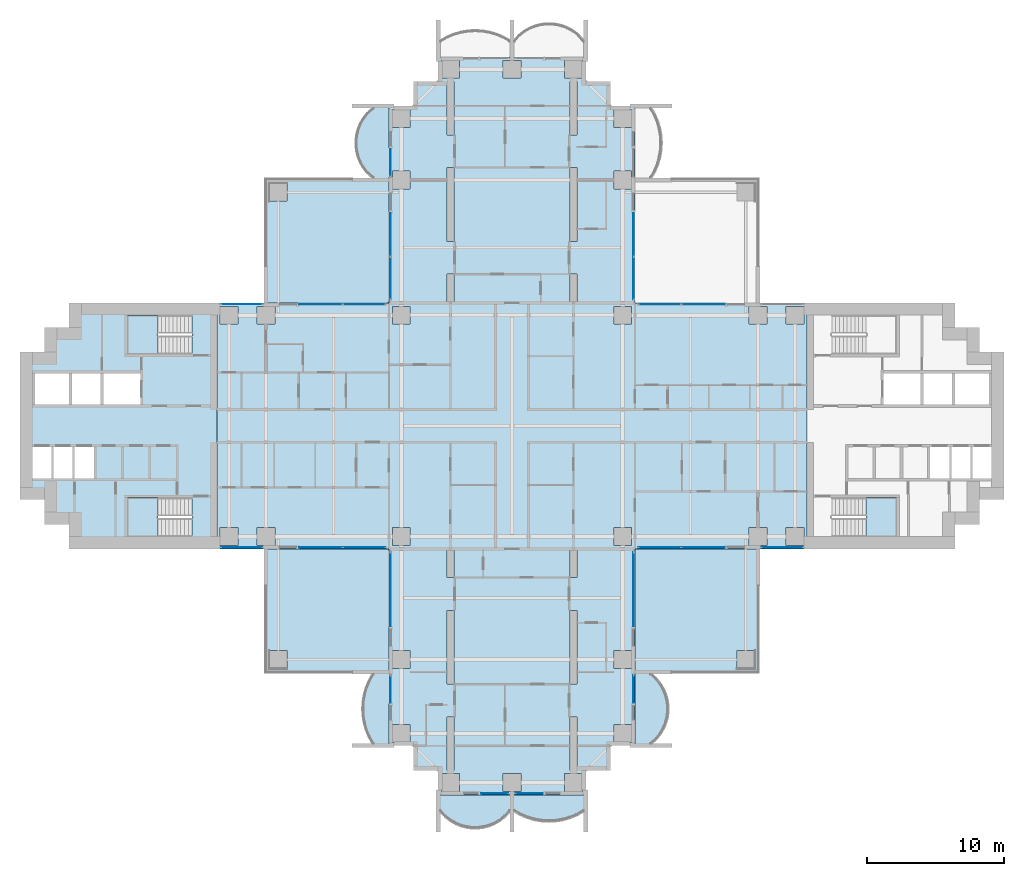
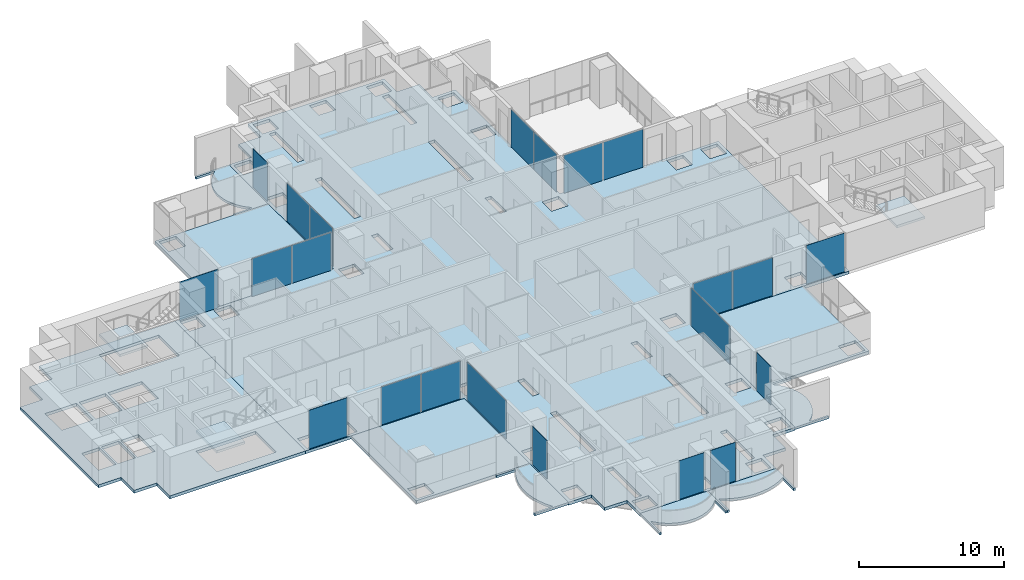
# One storey, part 8 of 21: 22 plates, 13 slabs, 19 elements without a shape of their own.
"""IFC4 building model written with IfcOpenShell, lengths in metres."""

from ifc_helpers import new_model, si_unit, direction, frame, origin, origin_2d, place, context, subcontext, project, spatial, polyline, rectangle, outline, extrude, material, layer, layer_set, type_object, element, aggregate, save


model = new_model("IFC4")

# Units and contexts
model_context = context("Model", 3, precision=1e-05, world=origin(), true_north=direction((0.0, 1.0)))
body_context = subcontext(model_context, "Body", "Model", "MODEL_VIEW")
ifc_project = project(units=[si_unit("LENGTHUNIT", "METRE"), si_unit("AREAUNIT", "SQUARE_METRE"), si_unit("VOLUMEUNIT", "CUBIC_METRE"), si_unit("PLANEANGLEUNIT", "RADIAN"), si_unit("MASSUNIT", "GRAM", prefix="KILO")], contexts=[model_context])

# Site, building, storey
site_placement = place(None, origin())
site = spatial("IfcSite", under=ifc_project, at=site_placement, CompositionType="ELEMENT")
building_placement = place(site_placement, origin())
building = spatial("IfcBuilding", under=site, at=building_placement, Name="Perihelion Cross Residences", CompositionType="ELEMENT")
storey_placement = place(building_placement, frame((0.0, 0.0, 43.5)))
storey = spatial("IfcBuildingStorey", under=building, at=storey_placement, Name="L07", CompositionType="ELEMENT", Elevation=43.5)

# Slabs
ifc_material_1 = material(Name="Concrete C40/50", Category="concrete")
ifc_layer_1 = layer(ifc_material_1, 0.199951171875)
ifc_layer_set_1 = layer_set([ifc_layer_1], Name="Balcony slab 200")
slab_type_1 = type_object("IfcSlabType", Name="Balcony slab 200", PredefinedType="FLOOR", material=ifc_layer_set_1)
slab_1_placement = place(storey_placement, frame((0.0, 0.0, -0.199951171875)))
element("IfcSlab", 1, at=slab_1_placement, inside=storey, type_object=slab_type_1, Name="Slab BK1 L07 north side west bay 1 balcony", PredefinedType="FLOOR", context=body_context, shape_type="SweptSolid", body=[
    extrude(outline(polyline([(-9.0, 23.39990234375), (-9.0, 18.0), (-11.699951171875, 18.0), (-11.699951171875, 18.14990234375), (-10.199951171875, 18.14990234375), (-10.622314453125, 18.542236328125), (-10.924072265625, 18.9345703125), (-11.143310546875, 19.326904296875), (-11.29736328125, 19.71923828125), (-11.39599609375, 20.111572265625), (-11.444091796875, 20.50390625), (-11.444091796875, 20.896240234375), (-11.39599609375, 21.28857421875), (-11.29736328125, 21.6806640625), (-11.143310546875, 22.072998046875), (-10.924072265625, 22.46533203125), (-10.622314453125, 22.857666015625), (-10.199951171875, 23.25), (-11.699951171875, 23.25), (-11.699951171875, 23.39990234375), (-9.0, 23.39990234375)])), origin(), (0.0, 0.0, 1.0), 0.199951171875),
])
slab_2_placement = place(storey_placement, frame((0.0, 0.0, -0.199951171875)))
element("IfcSlab", 2, at=slab_2_placement, inside=storey, type_object=slab_type_1, Name="Slab BK1 L07 south side west bay 2 balcony", PredefinedType="FLOOR", context=body_context, shape_type="SweptSolid", body=[
    extrude(outline(polyline([(-9.0, -18.0), (-9.0, -23.39990234375), (-11.699951171875, -23.39990234375), (-11.699951171875, -23.25), (-10.199951171875, -23.25), (-10.4853515625, -22.739990234375), (-10.694580078125, -22.22998046875), (-10.838134765625, -21.719970703125), (-10.92236328125, -21.2099609375), (-10.949951171875, -20.699951171875), (-10.92236328125, -20.18994140625), (-10.838134765625, -19.679931640625), (-10.694580078125, -19.169921875), (-10.4853515625, -18.659912109375), (-10.199951171875, -18.14990234375), (-11.699951171875, -18.14990234375), (-11.699951171875, -18.0), (-9.0, -18.0)])), origin(), (0.0, 0.0, 1.0), 0.199951171875),
])
slab_3_placement = place(storey_placement, frame((0.0, 0.0, -0.199951171875)))
element("IfcSlab", 3, at=slab_3_placement, inside=storey, type_object=slab_type_1, Name="Slab BK1 L07 south tip south bay 1 balcony", PredefinedType="FLOOR", context=body_context, shape_type="SweptSolid", body=[
    extrude(outline(polyline([(-5.39990234375, -27.0), (0.0, -27.0), (0.0, -29.699951171875), (-0.14990234375, -29.699951171875), (-0.14990234375, -28.199951171875), (-0.542236328125, -28.622314453125), (-0.9345703125, -28.924072265625), (-1.326904296875, -29.143310546875), (-1.71923828125, -29.29736328125), (-2.111572265625, -29.39599609375), (-2.50390625, -29.444091796875), (-2.896240234375, -29.444091796875), (-3.28857421875, -29.39599609375), (-3.6806640625, -29.29736328125), (-4.072998046875, -29.143310546875), (-4.46533203125, -28.924072265625), (-4.857666015625, -28.622314453125), (-5.25, -28.199951171875), (-5.25, -29.699951171875), (-5.39990234375, -29.699951171875), (-5.39990234375, -27.0)])), origin(), (0.0, 0.0, 1.0), 0.199951171875),
])
slab_4_placement = place(storey_placement, frame((0.0, 0.0, -0.199951171875)))
element("IfcSlab", 4, at=slab_4_placement, inside=storey, type_object=slab_type_1, Name="Slab BK1 L07 south tip south bay 2 balcony", PredefinedType="FLOOR", context=body_context, shape_type="SweptSolid", body=[
    extrude(outline(polyline([(0.0, -27.0), (5.39990234375, -27.0), (5.39990234375, -29.699951171875), (5.25, -29.699951171875), (5.25, -28.199951171875), (4.739990234375, -28.4853515625), (4.22998046875, -28.694580078125), (3.719970703125, -28.838134765625), (3.2099609375, -28.92236328125), (2.699951171875, -28.949951171875), (2.18994140625, -28.92236328125), (1.679931640625, -28.838134765625), (1.169921875, -28.694580078125), (0.659912109375, -28.4853515625), (0.14990234375, -28.199951171875), (0.14990234375, -29.699951171875), (0.0, -29.699951171875), (0.0, -27.0)])), origin(), (0.0, 0.0, 1.0), 0.199951171875),
])
slab_5_placement = place(storey_placement, frame((0.0, 0.0, -0.199951171875)))
element("IfcSlab", 5, at=slab_5_placement, inside=storey, type_object=slab_type_1, Name="Slab BK1 L07 south side east bay 1 balcony", PredefinedType="FLOOR", context=body_context, shape_type="SweptSolid", body=[
    extrude(outline(polyline([(9.0, -23.39990234375), (9.0, -18.0), (11.699951171875, -18.0), (11.699951171875, -18.14990234375), (10.199951171875, -18.14990234375), (10.622314453125, -18.542236328125), (10.924072265625, -18.9345703125), (11.143310546875, -19.326904296875), (11.29736328125, -19.71923828125), (11.39599609375, -20.111572265625), (11.444091796875, -20.50390625), (11.444091796875, -20.896240234375), (11.39599609375, -21.28857421875), (11.29736328125, -21.6806640625), (11.143310546875, -22.072998046875), (10.924072265625, -22.46533203125), (10.622314453125, -22.857666015625), (10.199951171875, -23.25), (11.699951171875, -23.25), (11.699951171875, -23.39990234375), (9.0, -23.39990234375)])), origin(), (0.0, 0.0, 1.0), 0.199951171875),
])

# Curtain wall, plates
ifc_material_2 = material(Name="Bronze anodised aluminium, tinted glazing", Category="aluminium")
curtain_wall_type = type_object("IfcCurtainWallType", Name="CW1", PredefinedType="NOTDEFINED", material=ifc_material_2)
curtain_wall_1_placement = place(storey_placement, origin())
curtain_wall_1 = element("IfcCurtainWall", 6, at=curtain_wall_1_placement, inside=storey, type_object=curtain_wall_type, Name="Curtain wall CW1 L07 east side north bay 2", PredefinedType="NOTDEFINED")
ifc_material_3 = material(Name="Tinted laminated glass", Category="glass")
ifc_layer_2 = layer(ifc_material_3, 0.028076171875)
ifc_layer_set_2 = layer_set([ifc_layer_2], Name="CW1 panel")
plate_type = type_object("IfcPlateType", Name="CW1 panel", PredefinedType="CURTAIN_PANEL", material=ifc_layer_set_2)
plate_1_placement = place(storey_placement, frame((13.9775390625, 8.89990234375, 0.0), z_axis=(0.0, 0.0, 1.0), x_axis=(-1.0, 0.0, 0.0)))
plate_1 = element("IfcPlate", 7, at=plate_1_placement, type_object=plate_type, Name="CW1 panel 1", PredefinedType="CURTAIN_PANEL", context=body_context, shape_type="SweptSolid", body=[
    extrude(rectangle(XDim=3.14501953125, YDim=0.028076171875, at=origin_2d()), origin(), (0.0, 0.0, 1.0), 3.18994140625),
])
plate_2_placement = place(storey_placement, frame((10.802490234375, 8.89990234375, 0.0), z_axis=(0.0, 0.0, 1.0), x_axis=(-1.0, 0.0, 0.0)))
plate_2 = element("IfcPlate", 8, at=plate_2_placement, type_object=plate_type, Name="CW1 panel 2", PredefinedType="CURTAIN_PANEL", context=body_context, shape_type="SweptSolid", body=[
    extrude(rectangle(XDim=3.0849609375, YDim=0.028076171875, at=origin_2d()), origin(), (0.0, 0.0, 1.0), 3.18994140625),
])
aggregate(curtain_wall_1, [plate_1, plate_2])

curtain_wall_2_placement = place(storey_placement, origin())
curtain_wall_2 = element("IfcCurtainWall", 9, at=curtain_wall_2_placement, inside=storey, type_object=curtain_wall_type, Name="Curtain wall CW1 L07 north side east bay 1", PredefinedType="NOTDEFINED")
plate_3_placement = place(storey_placement, frame((8.89990234375, 10.802490234375, 0.0), z_axis=(0.0, 0.0, 1.0), x_axis=(0.0, 1.0, 0.0)))
plate_3 = element("IfcPlate", 10, at=plate_3_placement, type_object=plate_type, Name="CW1 panel 1", PredefinedType="CURTAIN_PANEL", context=body_context, shape_type="SweptSolid", body=[
    extrude(rectangle(XDim=3.0849609375, YDim=0.028076171875, at=origin_2d()), origin(), (0.0, 0.0, 1.0), 3.18994140625),
])
plate_4_placement = place(storey_placement, frame((8.89990234375, 13.9775390625, 0.0), z_axis=(0.0, 0.0, 1.0), x_axis=(0.0, 1.0, 0.0)))
plate_4 = element("IfcPlate", 11, at=plate_4_placement, type_object=plate_type, Name="CW1 panel 2", PredefinedType="CURTAIN_PANEL", context=body_context, shape_type="SweptSolid", body=[
    extrude(rectangle(XDim=3.14501953125, YDim=0.028076171875, at=origin_2d()), origin(), (0.0, 0.0, 1.0), 3.18994140625),
])
aggregate(curtain_wall_2, [plate_3, plate_4])

# Curtain wall, plate
curtain_wall_3_placement = place(storey_placement, origin())
curtain_wall_3 = element("IfcCurtainWall", 12, at=curtain_wall_3_placement, inside=storey, type_object=curtain_wall_type, Name="Curtain wall CW1 L07 north side west bay 1", PredefinedType="NOTDEFINED")
plate_5_placement = place(storey_placement, frame((-8.89990234375, 19.2548828125, 0.0), z_axis=(0.0, 0.0, 1.0), x_axis=(0.0, -1.0, 0.0)))
plate_5 = element("IfcPlate", 13, at=plate_5_placement, type_object=plate_type, Name="CW1 panel 1", PredefinedType="CURTAIN_PANEL", context=body_context, shape_type="SweptSolid", body=[
    extrude(rectangle(XDim=1.989990234375, YDim=0.028076171875, at=origin_2d()), origin(), (0.0, 0.0, 1.0), 3.25),
])
aggregate(curtain_wall_3, [plate_5])

# Curtain wall, plates
curtain_wall_4_placement = place(storey_placement, origin())
curtain_wall_4 = element("IfcCurtainWall", 14, at=curtain_wall_4_placement, inside=storey, type_object=curtain_wall_type, Name="Curtain wall CW1 L07 north side west bay 2", PredefinedType="NOTDEFINED")
plate_6_placement = place(storey_placement, frame((-8.89990234375, 13.9775390625, 0.0), z_axis=(0.0, 0.0, 1.0), x_axis=(0.0, -1.0, 0.0)))
plate_6 = element("IfcPlate", 15, at=plate_6_placement, type_object=plate_type, Name="CW1 panel 1", PredefinedType="CURTAIN_PANEL", context=body_context, shape_type="SweptSolid", body=[
    extrude(rectangle(XDim=3.14501953125, YDim=0.028076171875, at=origin_2d()), origin(), (0.0, 0.0, 1.0), 3.18994140625),
])
plate_7_placement = place(storey_placement, frame((-8.89990234375, 10.802490234375, 0.0), z_axis=(0.0, 0.0, 1.0), x_axis=(0.0, -1.0, 0.0)))
plate_7 = element("IfcPlate", 16, at=plate_7_placement, type_object=plate_type, Name="CW1 panel 2", PredefinedType="CURTAIN_PANEL", context=body_context, shape_type="SweptSolid", body=[
    extrude(rectangle(XDim=3.0849609375, YDim=0.028076171875, at=origin_2d()), origin(), (0.0, 0.0, 1.0), 3.18994140625),
])
aggregate(curtain_wall_4, [plate_6, plate_7])

curtain_wall_5_placement = place(storey_placement, origin())
curtain_wall_5 = element("IfcCurtainWall", 17, at=curtain_wall_5_placement, inside=storey, type_object=curtain_wall_type, Name="Curtain wall CW1 L07 west side north bay 1", PredefinedType="NOTDEFINED")
plate_8_placement = place(storey_placement, frame((-10.802490234375, 8.89990234375, 0.0), z_axis=(0.0, 0.0, 1.0), x_axis=(-1.0, 0.0, 0.0)))
plate_8 = element("IfcPlate", 18, at=plate_8_placement, type_object=plate_type, Name="CW1 panel 1", PredefinedType="CURTAIN_PANEL", context=body_context, shape_type="SweptSolid", body=[
    extrude(rectangle(XDim=3.0849609375, YDim=0.028076171875, at=origin_2d()), origin(), (0.0, 0.0, 1.0), 3.18994140625),
])
plate_9_placement = place(storey_placement, frame((-13.9775390625, 8.89990234375, 0.0), z_axis=(0.0, 0.0, 1.0), x_axis=(-1.0, 0.0, 0.0)))
plate_9 = element("IfcPlate", 19, at=plate_9_placement, type_object=plate_type, Name="CW1 panel 2", PredefinedType="CURTAIN_PANEL", context=body_context, shape_type="SweptSolid", body=[
    extrude(rectangle(XDim=3.14501953125, YDim=0.028076171875, at=origin_2d()), origin(), (0.0, 0.0, 1.0), 3.18994140625),
])
aggregate(curtain_wall_5, [plate_8, plate_9])

# Curtain wall, plate
curtain_wall_6_placement = place(storey_placement, origin())
curtain_wall_6 = element("IfcCurtainWall", 20, at=curtain_wall_6_placement, inside=storey, type_object=curtain_wall_type, Name="Curtain wall CW1 L07 west side north bay 2", PredefinedType="NOTDEFINED")
plate_10_placement = place(storey_placement, frame((-19.77490234375, 8.89990234375, 0.0), z_axis=(0.0, 0.0, 1.0), x_axis=(-1.0, 0.0, 0.0)))
plate_10 = element("IfcPlate", 21, at=plate_10_placement, type_object=plate_type, Name="CW1 panel 1", PredefinedType="CURTAIN_PANEL", context=body_context, shape_type="SweptSolid", body=[
    extrude(rectangle(XDim=3.030029296875, YDim=0.028076171875, at=origin_2d()), origin(), (0.0, 0.0, 1.0), 3.25),
])
aggregate(curtain_wall_6, [plate_10])

curtain_wall_7_placement = place(storey_placement, origin())
curtain_wall_7 = element("IfcCurtainWall", 22, at=curtain_wall_7_placement, inside=storey, type_object=curtain_wall_type, Name="Curtain wall CW1 L07 west side south bay 1", PredefinedType="NOTDEFINED")
plate_11_placement = place(storey_placement, frame((-19.77490234375, -8.89990234375, 0.0), z_axis=(0.0, 0.0, 1.0), x_axis=(1.0, 0.0, 0.0)))
plate_11 = element("IfcPlate", 23, at=plate_11_placement, type_object=plate_type, Name="CW1 panel 1", PredefinedType="CURTAIN_PANEL", context=body_context, shape_type="SweptSolid", body=[
    extrude(rectangle(XDim=3.030029296875, YDim=0.028076171875, at=origin_2d()), origin(), (0.0, 0.0, 1.0), 3.25),
])
aggregate(curtain_wall_7, [plate_11])

# Curtain wall, plates
curtain_wall_8_placement = place(storey_placement, origin())
curtain_wall_8 = element("IfcCurtainWall", 24, at=curtain_wall_8_placement, inside=storey, type_object=curtain_wall_type, Name="Curtain wall CW1 L07 west side south bay 2", PredefinedType="NOTDEFINED")
plate_12_placement = place(storey_placement, frame((-13.9775390625, -8.89990234375, 0.0), z_axis=(0.0, 0.0, 1.0), x_axis=(1.0, 0.0, 0.0)))
plate_12 = element("IfcPlate", 25, at=plate_12_placement, type_object=plate_type, Name="CW1 panel 1", PredefinedType="CURTAIN_PANEL", context=body_context, shape_type="SweptSolid", body=[
    extrude(rectangle(XDim=3.14501953125, YDim=0.028076171875, at=origin_2d()), origin(), (0.0, 0.0, 1.0), 3.18994140625),
])
plate_13_placement = place(storey_placement, frame((-10.802490234375, -8.89990234375, 0.0), z_axis=(0.0, 0.0, 1.0), x_axis=(1.0, 0.0, 0.0)))
plate_13 = element("IfcPlate", 26, at=plate_13_placement, type_object=plate_type, Name="CW1 panel 2", PredefinedType="CURTAIN_PANEL", context=body_context, shape_type="SweptSolid", body=[
    extrude(rectangle(XDim=3.0849609375, YDim=0.028076171875, at=origin_2d()), origin(), (0.0, 0.0, 1.0), 3.18994140625),
])
aggregate(curtain_wall_8, [plate_12, plate_13])

# Curtain wall, plate
curtain_wall_9_placement = place(storey_placement, origin())
curtain_wall_9 = element("IfcCurtainWall", 27, at=curtain_wall_9_placement, inside=storey, type_object=curtain_wall_type, Name="Curtain wall CW1 L07 south side west bay 1", PredefinedType="NOTDEFINED")
plate_14_placement = place(storey_placement, frame((-8.89990234375, -11.955078125, 0.0), z_axis=(0.0, 0.0, 1.0), x_axis=(0.0, -1.0, 0.0)))
plate_14 = element("IfcPlate", 28, at=plate_14_placement, type_object=plate_type, Name="CW1 panel 1", PredefinedType="CURTAIN_PANEL", context=body_context, shape_type="SweptSolid", body=[
    extrude(rectangle(XDim=5.389892578125, YDim=0.028076171875, at=origin_2d()), origin(), (0.0, 0.0, 1.0), 3.18994140625),
])
aggregate(curtain_wall_9, [plate_14])

curtain_wall_10_placement = place(storey_placement, origin())
curtain_wall_10 = element("IfcCurtainWall", 29, at=curtain_wall_10_placement, inside=storey, type_object=curtain_wall_type, Name="Curtain wall CW1 L07 south side west bay 2", PredefinedType="NOTDEFINED")
plate_15_placement = place(storey_placement, frame((-8.89990234375, -19.2548828125, 0.0), z_axis=(0.0, 0.0, 1.0), x_axis=(0.0, -1.0, 0.0)))
plate_15 = element("IfcPlate", 30, at=plate_15_placement, type_object=plate_type, Name="CW1 panel 1", PredefinedType="CURTAIN_PANEL", context=body_context, shape_type="SweptSolid", body=[
    extrude(rectangle(XDim=1.989990234375, YDim=0.028076171875, at=origin_2d()), origin(), (0.0, 0.0, 1.0), 3.25),
])
aggregate(curtain_wall_10, [plate_15])

curtain_wall_11_placement = place(storey_placement, origin())
curtain_wall_11 = element("IfcCurtainWall", 31, at=curtain_wall_11_placement, inside=storey, type_object=curtain_wall_type, Name="Curtain wall CW1 L07 south tip south bay 1", PredefinedType="NOTDEFINED")
plate_16_placement = place(storey_placement, frame((-1.2548828125, -26.89990234375, 0.0), z_axis=(0.0, 0.0, 1.0), x_axis=(1.0, 0.0, 0.0)))
plate_16 = element("IfcPlate", 32, at=plate_16_placement, type_object=plate_type, Name="CW1 panel 1", PredefinedType="CURTAIN_PANEL", context=body_context, shape_type="SweptSolid", body=[
    extrude(rectangle(XDim=1.989990234375, YDim=0.028076171875, at=origin_2d()), origin(), (0.0, 0.0, 1.0), 3.25),
])
aggregate(curtain_wall_11, [plate_16])

curtain_wall_12_placement = place(storey_placement, origin())
curtain_wall_12 = element("IfcCurtainWall", 33, at=curtain_wall_12_placement, inside=storey, type_object=curtain_wall_type, Name="Curtain wall CW1 L07 south tip south bay 2", PredefinedType="NOTDEFINED")
plate_17_placement = place(storey_placement, frame((1.2548828125, -26.89990234375, 0.0), z_axis=(0.0, 0.0, 1.0), x_axis=(1.0, 0.0, 0.0)))
plate_17 = element("IfcPlate", 34, at=plate_17_placement, type_object=plate_type, Name="CW1 panel 1", PredefinedType="CURTAIN_PANEL", context=body_context, shape_type="SweptSolid", body=[
    extrude(rectangle(XDim=1.989990234375, YDim=0.028076171875, at=origin_2d()), origin(), (0.0, 0.0, 1.0), 3.25),
])
aggregate(curtain_wall_12, [plate_17])

curtain_wall_13_placement = place(storey_placement, origin())
curtain_wall_13 = element("IfcCurtainWall", 35, at=curtain_wall_13_placement, inside=storey, type_object=curtain_wall_type, Name="Curtain wall CW1 L07 south side east bay 1", PredefinedType="NOTDEFINED")
plate_18_placement = place(storey_placement, frame((8.89990234375, -19.2548828125, 0.0), z_axis=(0.0, 0.0, 1.0), x_axis=(0.0, 1.0, 0.0)))
plate_18 = element("IfcPlate", 36, at=plate_18_placement, type_object=plate_type, Name="CW1 panel 1", PredefinedType="CURTAIN_PANEL", context=body_context, shape_type="SweptSolid", body=[
    extrude(rectangle(XDim=1.989990234375, YDim=0.028076171875, at=origin_2d()), origin(), (0.0, 0.0, 1.0), 3.25),
])
aggregate(curtain_wall_13, [plate_18])

curtain_wall_14_placement = place(storey_placement, origin())
curtain_wall_14 = element("IfcCurtainWall", 37, at=curtain_wall_14_placement, inside=storey, type_object=curtain_wall_type, Name="Curtain wall CW1 L07 south side east bay 2", PredefinedType="NOTDEFINED")
plate_19_placement = place(storey_placement, frame((8.89990234375, -11.955078125, 0.0), z_axis=(0.0, 0.0, 1.0), x_axis=(0.0, 1.0, 0.0)))
plate_19 = element("IfcPlate", 38, at=plate_19_placement, type_object=plate_type, Name="CW1 panel 1", PredefinedType="CURTAIN_PANEL", context=body_context, shape_type="SweptSolid", body=[
    extrude(rectangle(XDim=5.389892578125, YDim=0.028076171875, at=origin_2d()), origin(), (0.0, 0.0, 1.0), 3.18994140625),
])
aggregate(curtain_wall_14, [plate_19])

# Curtain wall, plates
curtain_wall_15_placement = place(storey_placement, origin())
curtain_wall_15 = element("IfcCurtainWall", 39, at=curtain_wall_15_placement, inside=storey, type_object=curtain_wall_type, Name="Curtain wall CW1 L07 east side south bay 1", PredefinedType="NOTDEFINED")
plate_20_placement = place(storey_placement, frame((10.802490234375, -8.89990234375, 0.0), z_axis=(0.0, 0.0, 1.0), x_axis=(1.0, 0.0, 0.0)))
plate_20 = element("IfcPlate", 40, at=plate_20_placement, type_object=plate_type, Name="CW1 panel 1", PredefinedType="CURTAIN_PANEL", context=body_context, shape_type="SweptSolid", body=[
    extrude(rectangle(XDim=3.0849609375, YDim=0.028076171875, at=origin_2d()), origin(), (0.0, 0.0, 1.0), 3.18994140625),
])
plate_21_placement = place(storey_placement, frame((13.9775390625, -8.89990234375, 0.0), z_axis=(0.0, 0.0, 1.0), x_axis=(1.0, 0.0, 0.0)))
plate_21 = element("IfcPlate", 41, at=plate_21_placement, type_object=plate_type, Name="CW1 panel 2", PredefinedType="CURTAIN_PANEL", context=body_context, shape_type="SweptSolid", body=[
    extrude(rectangle(XDim=3.14501953125, YDim=0.028076171875, at=origin_2d()), origin(), (0.0, 0.0, 1.0), 3.18994140625),
])
aggregate(curtain_wall_15, [plate_20, plate_21])

# Curtain wall, plate
curtain_wall_16_placement = place(storey_placement, origin())
curtain_wall_16 = element("IfcCurtainWall", 42, at=curtain_wall_16_placement, inside=storey, type_object=curtain_wall_type, Name="Curtain wall CW1 L07 east side south bay 2", PredefinedType="NOTDEFINED")
plate_22_placement = place(storey_placement, frame((19.77490234375, -8.89990234375, 0.0), z_axis=(0.0, 0.0, 1.0), x_axis=(1.0, 0.0, 0.0)))
plate_22 = element("IfcPlate", 43, at=plate_22_placement, type_object=plate_type, Name="CW1 panel 1", PredefinedType="CURTAIN_PANEL", context=body_context, shape_type="SweptSolid", body=[
    extrude(rectangle(XDim=3.030029296875, YDim=0.028076171875, at=origin_2d()), origin(), (0.0, 0.0, 1.0), 3.25),
])
aggregate(curtain_wall_16, [plate_22])

# Slabs
ifc_material_4 = material(Name="Concrete C40/50", Category="concrete")
ifc_layer_3 = layer(ifc_material_4, 0.25)
ifc_layer_set_3 = layer_set([ifc_layer_3], Name="Core floor slab 250")
slab_type_2 = type_object("IfcSlabType", Name="Core floor slab 250", PredefinedType="FLOOR", material=ifc_layer_set_3)
slab_6_placement = place(storey_placement, frame((0.0, 0.0, -0.25)))
element("IfcSlab", 44, at=slab_6_placement, inside=storey, type_object=slab_type_2, Name="West core floor slab", PredefinedType="FLOOR", context=body_context, shape_type="SweptSolid", body=[
    extrude(outline(polyline([(-32.39990234375, 7.199951171875), (-34.199951171875, 7.199951171875), (-34.199951171875, 5.39990234375), (-36.0, 5.39990234375), (-36.0, -5.39990234375), (-34.199951171875, -5.39990234375), (-34.199951171875, -7.199951171875), (-32.39990234375, -7.199951171875), (-32.39990234375, -9.0), (-21.60009765625, -9.0), (-21.60009765625, 9.0), (-32.39990234375, 9.0), (-32.39990234375, 7.199951171875)]), holes=[polyline([(-23.405029296875, -8.10009765625), (-28.14990234375, -8.10009765625), (-28.14990234375, -5.25), (-23.405029296875, -5.25), (-23.405029296875, -8.10009765625)]), polyline([(-30.60009765625, -1.550048828125), (-30.60009765625, -3.85009765625), (-32.0, -3.85009765625), (-32.0, -1.550048828125), (-30.60009765625, -1.550048828125)]), polyline([(-32.14990234375, -1.550048828125), (-32.14990234375, -3.85009765625), (-33.550048828125, -3.85009765625), (-33.550048828125, -1.550048828125), (-32.14990234375, -1.550048828125)]), polyline([(-33.699951171875, -1.550048828125), (-33.699951171875, -3.85009765625), (-35.10009765625, -3.85009765625), (-35.10009765625, -1.550048828125), (-33.699951171875, -1.550048828125)]), polyline([(-27.199951171875, 3.85009765625), (-27.199951171875, 1.550048828125), (-29.89990234375, 1.550048828125), (-29.89990234375, 3.85009765625), (-27.199951171875, 3.85009765625)]), polyline([(-30.10009765625, 3.85009765625), (-30.10009765625, 1.550048828125), (-32.199951171875, 1.550048828125), (-32.199951171875, 3.85009765625), (-30.10009765625, 3.85009765625)]), polyline([(-32.39990234375, 3.85009765625), (-32.39990234375, 1.550048828125), (-34.89990234375, 1.550048828125), (-34.89990234375, 3.85009765625), (-32.39990234375, 3.85009765625)]), polyline([(-23.405029296875, 5.25), (-28.14990234375, 5.25), (-28.14990234375, 8.10009765625), (-23.405029296875, 8.10009765625), (-23.405029296875, 5.25)])]), origin(), (0.0, 0.0, 1.0), 0.25),
])
ifc_material_5 = material(Name="Concrete C40/50", Category="concrete")
ifc_layer_4 = layer(ifc_material_5, 0.25)
ifc_layer_set_4 = layer_set([ifc_layer_4], Name="Corner terrace slab")
slab_type_3 = type_object("IfcSlabType", Name="Corner terrace slab", PredefinedType="FLOOR", material=ifc_layer_set_4)
slab_7_placement = place(storey_placement, frame((0.0, 0.0, -0.25)))
element("IfcSlab", 45, at=slab_7_placement, inside=storey, type_object=slab_type_3, Name="Slab BK2 L07 pocket north-west", PredefinedType="FLOOR", context=body_context, shape_type="SweptSolid", body=[
    extrude(outline(polyline([(-9.0, 9.0), (-9.0, 18.0), (-18.0, 18.0), (-18.0, 9.0), (-9.0, 9.0)]), holes=[polyline([(-17.7900390625, 16.409912109375), (-17.7900390625, 17.7900390625), (-16.449951171875, 17.7900390625), (-16.449951171875, 16.449951171875), (-17.75, 16.449951171875), (-17.75, 16.409912109375), (-17.7900390625, 16.409912109375)])]), origin(), (0.0, 0.0, 1.0), 0.25),
])
slab_8_placement = place(storey_placement, frame((0.0, 0.0, -0.25)))
element("IfcSlab", 46, at=slab_8_placement, inside=storey, type_object=slab_type_3, Name="Slab BK2 L07 pocket south-west", PredefinedType="FLOOR", context=body_context, shape_type="SweptSolid", body=[
    extrude(outline(polyline([(-9.0, -18.0), (-9.0, -9.0), (-18.0, -9.0), (-18.0, -18.0), (-9.0, -18.0)]), holes=[polyline([(-17.7900390625, -16.409912109375), (-17.75, -16.409912109375), (-17.75, -16.449951171875), (-16.449951171875, -16.449951171875), (-16.449951171875, -17.7900390625), (-17.7900390625, -17.7900390625), (-17.7900390625, -16.409912109375)])]), origin(), (0.0, 0.0, 1.0), 0.25),
])
slab_9_placement = place(storey_placement, frame((0.0, 0.0, -0.25)))
element("IfcSlab", 47, at=slab_9_placement, inside=storey, type_object=slab_type_3, Name="Slab BK2 L07 pocket south-east", PredefinedType="FLOOR", context=body_context, shape_type="SweptSolid", body=[
    extrude(outline(polyline([(18.0, -18.0), (18.0, -9.0), (9.0, -9.0), (9.0, -18.0), (18.0, -18.0)]), holes=[polyline([(16.449951171875, -17.7900390625), (16.449951171875, -16.449951171875), (17.75, -16.449951171875), (17.75, -16.409912109375), (17.7900390625, -16.409912109375), (17.7900390625, -17.7900390625), (16.449951171875, -17.7900390625)])]), origin(), (0.0, 0.0, 1.0), 0.25),
])

# Stair, slab
ifc_material_6 = material(Name="Concrete C40/50", Category="concrete")
stair_type = type_object("IfcStairType", Name="Exit stair, half-turn", PredefinedType="HALF_TURN_STAIR", material=ifc_material_6)
stair_1_placement = place(storey_placement, origin())
stair_1 = element("IfcStair", 48, at=stair_1_placement, inside=storey, type_object=stair_type, Name="L07 East core exit stair 2", PredefinedType="HALF_TURN_STAIR")
ifc_material_7 = material(Name="Concrete C40/50", Category="concrete")
ifc_layer_5 = layer(ifc_material_7, 0.199951171875)
ifc_layer_set_5 = layer_set([ifc_layer_5], Name="Exit stair landing 200")
slab_type_4 = type_object("IfcSlabType", Name="Exit stair landing 200", PredefinedType="LANDING", material=ifc_layer_set_5)
slab_10_placement = place(storey_placement, frame((0.0, 0.0, 1.550048828125)))
slab_10 = element("IfcSlab", 49, at=slab_10_placement, type_object=slab_type_4, Name="ST-E2 landing 1", PredefinedType="LANDING", context=body_context, shape_type="SweptSolid", body=[
    extrude(outline(polyline([(25.919921875, -8.10009765625), (28.14990234375, -8.10009765625), (28.14990234375, -5.25), (25.919921875, -5.25), (25.919921875, -8.10009765625)])), origin(), (0.0, 0.0, 1.0), 0.199951171875),
])
aggregate(stair_1, [slab_10])

stair_2_placement = place(storey_placement, origin())
stair_2 = element("IfcStair", 50, at=stair_2_placement, inside=storey, type_object=stair_type, Name="L07 West core exit stair 1", PredefinedType="HALF_TURN_STAIR")
slab_11_placement = place(storey_placement, frame((0.0, 0.0, 1.550048828125)))
slab_11 = element("IfcSlab", 51, at=slab_11_placement, type_object=slab_type_4, Name="ST-W1 landing 1", PredefinedType="LANDING", context=body_context, shape_type="SweptSolid", body=[
    extrude(outline(polyline([(-25.919921875, 8.10009765625), (-28.14990234375, 8.10009765625), (-28.14990234375, 5.25), (-25.919921875, 5.25), (-25.919921875, 8.10009765625)])), origin(), (0.0, 0.0, 1.0), 0.199951171875),
])
aggregate(stair_2, [slab_11])

stair_3_placement = place(storey_placement, origin())
stair_3 = element("IfcStair", 52, at=stair_3_placement, inside=storey, type_object=stair_type, Name="L07 West core exit stair 2", PredefinedType="HALF_TURN_STAIR")
slab_12_placement = place(storey_placement, frame((0.0, 0.0, 1.550048828125)))
slab_12 = element("IfcSlab", 53, at=slab_12_placement, type_object=slab_type_4, Name="ST-W2 landing 1", PredefinedType="LANDING", context=body_context, shape_type="SweptSolid", body=[
    extrude(outline(polyline([(-25.919921875, -5.25), (-28.14990234375, -5.25), (-28.14990234375, -8.10009765625), (-25.919921875, -8.10009765625), (-25.919921875, -5.25)])), origin(), (0.0, 0.0, 1.0), 0.199951171875),
])
aggregate(stair_3, [slab_12])

# Slab
ifc_material_8 = material(Name="Concrete C50/60", Category="concrete")
ifc_layer_6 = layer(ifc_material_8, 0.25)
ifc_layer_set_6 = layer_set([ifc_layer_6], Name="Residential floor post-tensioned slab concrete C50/60")
slab_type_5 = type_object("IfcSlabType", Name="Residential floor post-tensioned slab concrete C50/60", PredefinedType="FLOOR", material=ifc_layer_set_6)
slab_13_placement = place(storey_placement, frame((0.0, 0.0, -0.25)))
element("IfcSlab", 54, at=slab_13_placement, inside=storey, type_object=slab_type_5, Name="Slab SL8 L07 1 no. 1", PredefinedType="FLOOR", context=body_context, shape_type="SweptSolid", body=[
    extrude(outline(polyline([(-9.0, 9.0), (-9.0, 23.39990234375), (-7.199951171875, 23.39990234375), (-7.199951171875, 25.199951171875), (-5.39990234375, 25.199951171875), (-5.39990234375, 27.0), (5.39990234375, 27.0), (5.39990234375, 25.199951171875), (7.199951171875, 25.199951171875), (7.199951171875, 23.39990234375), (9.0, 23.39990234375), (9.0, 9.0), (21.60009765625, 9.0), (21.60009765625, -9.0), (9.0, -9.0), (9.0, -23.39990234375), (7.199951171875, -23.39990234375), (7.199951171875, -25.199951171875), (5.39990234375, -25.199951171875), (5.39990234375, -27.0), (-5.39990234375, -27.0), (-5.39990234375, -25.199951171875), (-7.199951171875, -25.199951171875), (-7.199951171875, -23.39990234375), (-9.0, -23.39990234375), (-9.0, -9.0), (-21.60009765625, -9.0), (-21.60009765625, 9.0), (-9.0, 9.0)]), holes=[polyline([(0.64990234375, -26.75), (0.64990234375, -25.449951171875), (-0.64990234375, -25.449951171875), (-0.64990234375, -26.75), (0.64990234375, -26.75)]), polyline([(-3.85009765625, -26.75), (-3.85009765625, -25.449951171875), (-5.14990234375, -25.449951171875), (-5.14990234375, -26.75), (-3.85009765625, -26.75)]), polyline([(-4.25, -25.199951171875), (-4.25, -21.300048828125), (-4.75, -21.300048828125), (-4.75, -25.199951171875), (-4.25, -25.199951171875)]), polyline([(-8.75, -23.14990234375), (-7.449951171875, -23.14990234375), (-7.449951171875, -21.85009765625), (-8.75, -21.85009765625), (-8.75, -23.14990234375)]), polyline([(-8.75, -17.75), (-7.449951171875, -17.75), (-7.449951171875, -16.449951171875), (-8.75, -16.449951171875), (-8.75, -17.75)]), polyline([(-4.25, -18.89990234375), (-4.25, -13.5), (-4.75, -13.5), (-4.75, -18.89990234375), (-4.25, -18.89990234375)]), polyline([(-4.25, -11.10009765625), (-4.25, -9.0), (-4.75, -9.0), (-4.75, -11.10009765625), (-4.25, -11.10009765625)]), polyline([(-7.449951171875, -8.75), (-7.449951171875, -7.449951171875), (-8.75, -7.449951171875), (-8.75, -8.75), (-7.449951171875, -8.75)]), polyline([(-18.64990234375, -8.75), (-17.35009765625, -8.75), (-17.35009765625, -7.449951171875), (-18.64990234375, -7.449951171875), (-18.64990234375, -8.75)]), polyline([(-21.35009765625, -8.75), (-20.050048828125, -8.75), (-20.050048828125, -7.449951171875), (-21.35009765625, -7.449951171875), (-21.35009765625, -8.75)]), polyline([(-17.35009765625, 7.449951171875), (-17.35009765625, 8.75), (-18.64990234375, 8.75), (-18.64990234375, 7.449951171875), (-17.35009765625, 7.449951171875)]), polyline([(-7.449951171875, 7.449951171875), (-7.449951171875, 8.75), (-8.75, 8.75), (-8.75, 7.449951171875), (-7.449951171875, 7.449951171875)]), polyline([(-21.35009765625, 7.449951171875), (-20.050048828125, 7.449951171875), (-20.050048828125, 8.75), (-21.35009765625, 8.75), (-21.35009765625, 7.449951171875)]), polyline([(-4.75, 9.0), (-4.25, 9.0), (-4.25, 11.10009765625), (-4.75, 11.10009765625), (-4.75, 9.0)]), polyline([(-4.25, 13.5), (-4.25, 18.89990234375), (-4.75, 18.89990234375), (-4.75, 13.5), (-4.25, 13.5)]), polyline([(-7.449951171875, 17.35009765625), (-7.449951171875, 18.64990234375), (-8.75, 18.64990234375), (-8.75, 17.35009765625), (-7.449951171875, 17.35009765625)]), polyline([(-7.449951171875, 21.85009765625), (-7.449951171875, 23.14990234375), (-8.75, 23.14990234375), (-8.75, 21.85009765625), (-7.449951171875, 21.85009765625)]), polyline([(-4.75, 21.300048828125), (-4.25, 21.300048828125), (-4.25, 25.199951171875), (-4.75, 25.199951171875), (-4.75, 21.300048828125)]), polyline([(-5.14990234375, 25.449951171875), (-3.85009765625, 25.449951171875), (-3.85009765625, 26.75), (-5.14990234375, 26.75), (-5.14990234375, 25.449951171875)]), polyline([(5.14990234375, -26.75), (5.14990234375, -25.449951171875), (3.85009765625, -25.449951171875), (3.85009765625, -26.75), (5.14990234375, -26.75)]), polyline([(4.75, -25.199951171875), (4.75, -21.300048828125), (4.25, -21.300048828125), (4.25, -25.199951171875), (4.75, -25.199951171875)]), polyline([(8.75, -23.14990234375), (8.75, -21.85009765625), (7.449951171875, -21.85009765625), (7.449951171875, -23.14990234375), (8.75, -23.14990234375)]), polyline([(7.449951171875, -17.75), (8.75, -17.75), (8.75, -16.449951171875), (7.449951171875, -16.449951171875), (7.449951171875, -17.75)]), polyline([(4.25, -18.89990234375), (4.75, -18.89990234375), (4.75, -13.5), (4.25, -13.5), (4.25, -18.89990234375)]), polyline([(4.75, -11.10009765625), (4.75, -9.0), (4.25, -9.0), (4.25, -11.10009765625), (4.75, -11.10009765625)]), polyline([(18.64990234375, -8.75), (18.64990234375, -7.449951171875), (17.35009765625, -7.449951171875), (17.35009765625, -8.75), (18.64990234375, -8.75)]), polyline([(21.35009765625, -8.75), (21.35009765625, -7.449951171875), (20.050048828125, -7.449951171875), (20.050048828125, -8.75), (21.35009765625, -8.75)]), polyline([(7.449951171875, -8.75), (8.75, -8.75), (8.75, -7.449951171875), (7.449951171875, -7.449951171875), (7.449951171875, -8.75)]), polyline([(21.35009765625, 7.449951171875), (21.35009765625, 8.75), (20.050048828125, 8.75), (20.050048828125, 7.449951171875), (21.35009765625, 7.449951171875)]), polyline([(8.75, 7.449951171875), (8.75, 8.75), (7.449951171875, 8.75), (7.449951171875, 7.449951171875), (8.75, 7.449951171875)]), polyline([(18.64990234375, 7.449951171875), (18.64990234375, 8.75), (17.35009765625, 8.75), (17.35009765625, 7.449951171875), (18.64990234375, 7.449951171875)]), polyline([(4.25, 9.0), (4.75, 9.0), (4.75, 11.10009765625), (4.25, 11.10009765625), (4.25, 9.0)]), polyline([(4.25, 13.5), (4.75, 13.5), (4.75, 18.89990234375), (4.25, 18.89990234375), (4.25, 13.5)]), polyline([(8.75, 17.35009765625), (8.75, 18.64990234375), (7.449951171875, 18.64990234375), (7.449951171875, 17.35009765625), (8.75, 17.35009765625)]), polyline([(8.75, 21.85009765625), (8.75, 23.14990234375), (7.449951171875, 23.14990234375), (7.449951171875, 21.85009765625), (8.75, 21.85009765625)]), polyline([(4.75, 21.300048828125), (4.75, 25.199951171875), (4.25, 25.199951171875), (4.25, 21.300048828125), (4.75, 21.300048828125)]), polyline([(-0.64990234375, 25.449951171875), (0.64990234375, 25.449951171875), (0.64990234375, 26.75), (-0.64990234375, 26.75), (-0.64990234375, 25.449951171875)]), polyline([(3.85009765625, 25.449951171875), (5.14990234375, 25.449951171875), (5.14990234375, 26.75), (3.85009765625, 26.75), (3.85009765625, 25.449951171875)])]), origin(), (0.0, 0.0, 1.0), 0.25),
])

save(model, "model.ifc")
